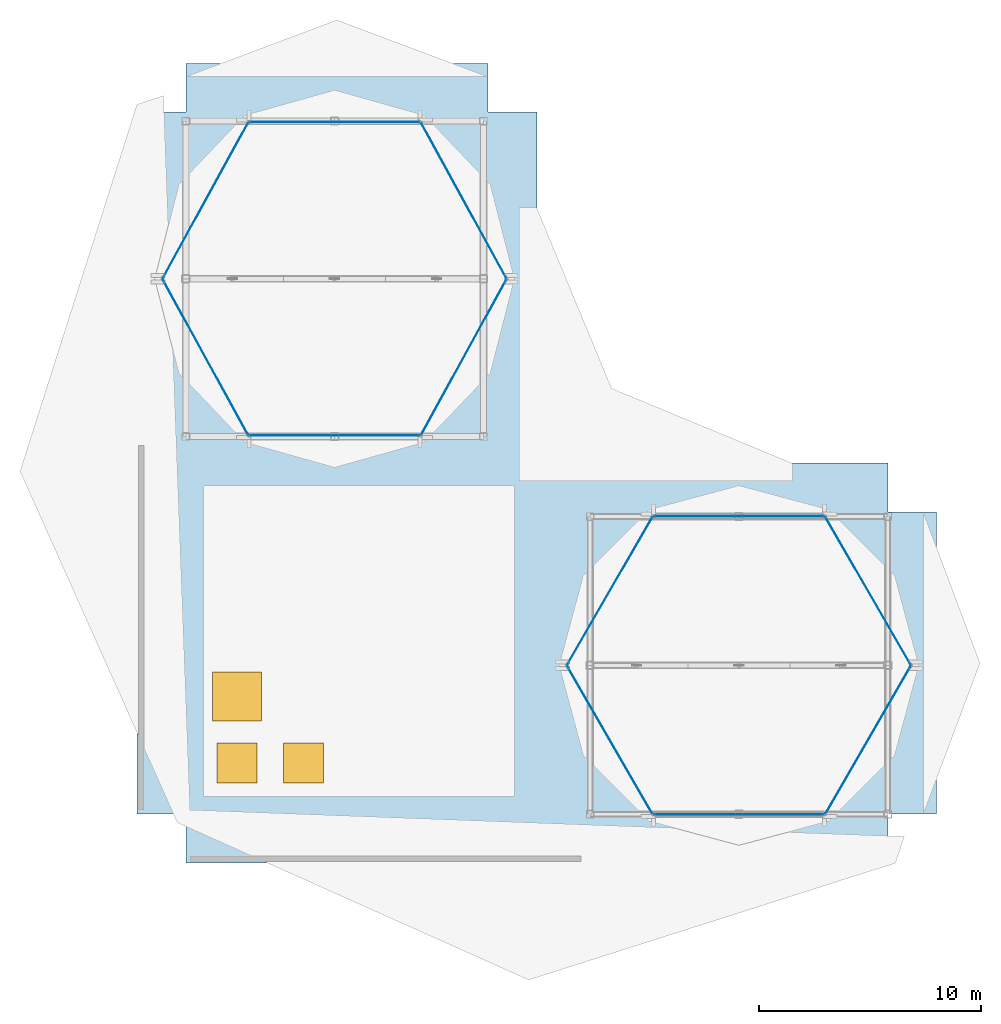
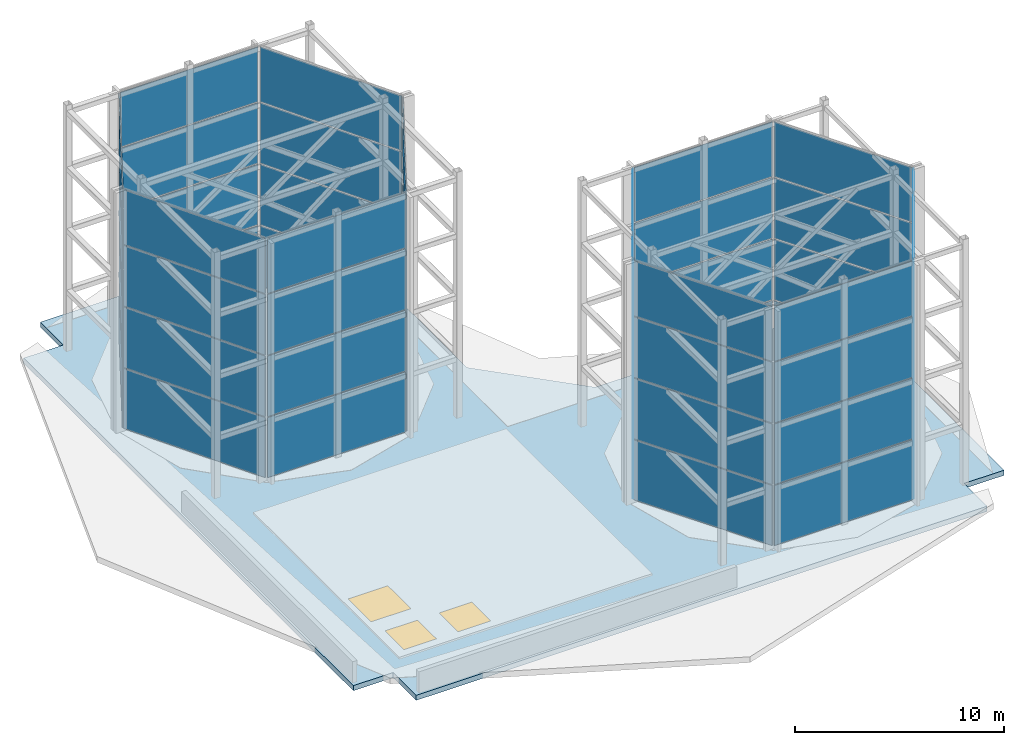
"""IFC4 building model written with IfcOpenShell, lengths in metres."""

from ifc_helpers import new_model, si_unit, direction, frame, origin, origin_2d, place, context, subcontext, project, spatial, polyline, rectangle, outline, extrude, material, layer, layer_set, type_object, element, fill, aggregate, save


model = new_model("IFC4")

# Units and contexts
model_context = context("Model", 3, precision=1e-05, world=origin(), true_north=direction((0.0, 1.0)))
body_context = subcontext(model_context, "Body", "Model", "MODEL_VIEW")
ifc_project = project(units=[si_unit("LENGTHUNIT", "METRE"), si_unit("AREAUNIT", "SQUARE_METRE"), si_unit("VOLUMEUNIT", "CUBIC_METRE"), si_unit("PLANEANGLEUNIT", "RADIAN"), si_unit("MASSUNIT", "GRAM", prefix="KILO")], contexts=[model_context])

# Site, building, storey
site_placement = place(None, origin())
site = spatial("IfcSite", under=ifc_project, at=site_placement, CompositionType="ELEMENT")
building_placement = place(site_placement, origin())
building = spatial("IfcBuilding", under=site, at=building_placement, Name="Solvaryn Broadcast Tower", CompositionType="ELEMENT")
storey_1_placement = place(building_placement, frame((0.0, 0.0, 307.800048828125)))
storey_1 = spatial("IfcBuildingStorey", under=building, at=storey_1_placement, Name="Roof Main", CompositionType="ELEMENT", Elevation=307.800048828125)

# Curtain wall, plates
ifc_material_1 = material(Name="Aluminium and Terracotta Unitised Curtain Wall", Category="masonry")
ifc_layer_1 = layer(ifc_material_1, 0.2099609375)
ifc_layer_set_1 = layer_set([ifc_layer_1], Name="CW-SYS6-CROWN")
curtain_wall_type = type_object("IfcCurtainWallType", Name="CW-SYS6-CROWN", PredefinedType="NOTDEFINED", material=ifc_layer_set_1)
curtain_wall_1_placement = place(storey_1_placement, origin())
curtain_wall_1 = element("IfcCurtainWall", 1, at=curtain_wall_1_placement, inside=storey_1, type_object=curtain_wall_type, Name="Roof Main Split-Top Crown Curtain Wall W1", PredefinedType="NOTDEFINED")
ifc_material_2 = material(Name="Acoustic Laminated Luminous Clear Glass", Category="glass")
ifc_layer_2 = layer(ifc_material_2, 0.0419921875)
ifc_layer_set_2 = layer_set([ifc_layer_2], Name="CW-PNL-DAMPER")
plate_type = type_object("IfcPlateType", Name="CW-PNL-DAMPER", PredefinedType="CURTAIN_PANEL", material=ifc_layer_set_2)
plate_1_placement = place(storey_1_placement, frame((23.71240234375, 38.8291015625, 0.06005859375), z_axis=(0.0, 0.0, 1.0), x_axis=(-0.481260683391, 0.876577523452, 0.0)))
plate_1 = element("IfcPlate", 2, at=plate_1_placement, type_object=plate_type, Name="CWS6 panel 1.1", PredefinedType="CURTAIN_PANEL", context=body_context, shape_type="SweptSolid", body=[
    extrude(rectangle(XDim=7.931884765625, YDim=0.028076171875, at=origin_2d()), origin(), (0.0, 0.0, 1.0), 3.510009765625),
])
plate_2_placement = place(storey_1_placement, frame((23.71240234375, 38.8291015625, 3.6298828125), z_axis=(0.0, 0.0, 1.0), x_axis=(-0.481260683391, 0.876577523452, 0.0)))
plate_2 = element("IfcPlate", 3, at=plate_2_placement, type_object=plate_type, Name="CWS6 panel 1.2", PredefinedType="CURTAIN_PANEL", context=body_context, shape_type="SweptSolid", body=[
    extrude(rectangle(XDim=7.931884765625, YDim=0.028076171875, at=origin_2d()), origin(), (0.0, 0.0, 1.0), 3.5400390625),
])
plate_3_placement = place(storey_1_placement, frame((23.71240234375, 38.8291015625, 7.22998046875), z_axis=(0.0, 0.0, 1.0), x_axis=(-0.481260683391, 0.876577523452, 0.0)))
plate_3 = element("IfcPlate", 4, at=plate_3_placement, type_object=plate_type, Name="CWS6 panel 1.3", PredefinedType="CURTAIN_PANEL", context=body_context, shape_type="SweptSolid", body=[
    extrude(rectangle(XDim=7.931884765625, YDim=0.028076171875, at=origin_2d()), origin(), (0.0, 0.0, 1.0), 3.5400390625),
])
plate_4_placement = place(storey_1_placement, frame((23.71240234375, 38.8291015625, 10.830078125), z_axis=(0.0, 0.0, 1.0), x_axis=(-0.481260683391, 0.876577523452, 0.0)))
plate_4 = element("IfcPlate", 5, at=plate_4_placement, type_object=plate_type, Name="CWS6 panel 1.4", PredefinedType="CURTAIN_PANEL", context=body_context, shape_type="SweptSolid", body=[
    extrude(rectangle(XDim=7.931884765625, YDim=0.028076171875, at=origin_2d()), origin(), (0.0, 0.0, 1.0), 3.2099609375),
])
aggregate(curtain_wall_1, [plate_1, plate_2, plate_3, plate_4])

curtain_wall_2_placement = place(storey_1_placement, origin())
curtain_wall_2 = element("IfcCurtainWall", 6, at=curtain_wall_2_placement, inside=storey_1, type_object=curtain_wall_type, Name="Roof Main Split-Top Crown Curtain Wall W2", PredefinedType="NOTDEFINED")
plate_5_placement = place(storey_1_placement, frame((17.89990234375, 42.35791015625, 0.06005859375), z_axis=(0.0, 0.0, 1.0), x_axis=(-1.0, 0.0, 0.0)))
plate_5 = element("IfcPlate", 7, at=plate_5_placement, type_object=plate_type, Name="CWS6 panel 1.1", PredefinedType="CURTAIN_PANEL", context=body_context, shape_type="SweptSolid", body=[
    extrude(rectangle(XDim=7.6298828125, YDim=0.028076171875, at=origin_2d()), origin(), (0.0, 0.0, 1.0), 3.510009765625),
])
plate_6_placement = place(storey_1_placement, frame((17.89990234375, 42.35791015625, 3.6298828125), z_axis=(0.0, 0.0, 1.0), x_axis=(-1.0, 0.0, 0.0)))
plate_6 = element("IfcPlate", 8, at=plate_6_placement, type_object=plate_type, Name="CWS6 panel 1.2", PredefinedType="CURTAIN_PANEL", context=body_context, shape_type="SweptSolid", body=[
    extrude(rectangle(XDim=7.6298828125, YDim=0.028076171875, at=origin_2d()), origin(), (0.0, 0.0, 1.0), 3.5400390625),
])
plate_7_placement = place(storey_1_placement, frame((17.89990234375, 42.35791015625, 7.22998046875), z_axis=(0.0, 0.0, 1.0), x_axis=(-1.0, 0.0, 0.0)))
plate_7 = element("IfcPlate", 9, at=plate_7_placement, type_object=plate_type, Name="CWS6 panel 1.3", PredefinedType="CURTAIN_PANEL", context=body_context, shape_type="SweptSolid", body=[
    extrude(rectangle(XDim=7.6298828125, YDim=0.028076171875, at=origin_2d()), origin(), (0.0, 0.0, 1.0), 3.5400390625),
])
plate_8_placement = place(storey_1_placement, frame((17.89990234375, 42.35791015625, 10.830078125), z_axis=(0.0, 0.0, 1.0), x_axis=(-1.0, 0.0, 0.0)))
plate_8 = element("IfcPlate", 10, at=plate_8_placement, type_object=plate_type, Name="CWS6 panel 1.4", PredefinedType="CURTAIN_PANEL", context=body_context, shape_type="SweptSolid", body=[
    extrude(rectangle(XDim=7.6298828125, YDim=0.028076171875, at=origin_2d()), origin(), (0.0, 0.0, 1.0), 3.2099609375),
])
aggregate(curtain_wall_2, [plate_5, plate_6, plate_7, plate_8])

curtain_wall_3_placement = place(storey_1_placement, origin())
curtain_wall_3 = element("IfcCurtainWall", 11, at=curtain_wall_3_placement, inside=storey_1, type_object=curtain_wall_type, Name="Roof Main Split-Top Crown Curtain Wall W3", PredefinedType="NOTDEFINED")
plate_9_placement = place(storey_1_placement, frame((12.08740234375, 38.8291015625, 0.06005859375), z_axis=(0.0, 0.0, 1.0), x_axis=(-0.481260683391, -0.876577523452, 0.0)))
plate_9 = element("IfcPlate", 12, at=plate_9_placement, type_object=plate_type, Name="CWS6 panel 1.1", PredefinedType="CURTAIN_PANEL", context=body_context, shape_type="SweptSolid", body=[
    extrude(rectangle(XDim=7.931884765625, YDim=0.028076171875, at=origin_2d()), origin(), (0.0, 0.0, 1.0), 3.510009765625),
])
plate_10_placement = place(storey_1_placement, frame((12.08740234375, 38.8291015625, 3.6298828125), z_axis=(0.0, 0.0, 1.0), x_axis=(-0.481260683391, -0.876577523452, 0.0)))
plate_10 = element("IfcPlate", 13, at=plate_10_placement, type_object=plate_type, Name="CWS6 panel 1.2", PredefinedType="CURTAIN_PANEL", context=body_context, shape_type="SweptSolid", body=[
    extrude(rectangle(XDim=7.931884765625, YDim=0.028076171875, at=origin_2d()), origin(), (0.0, 0.0, 1.0), 3.5400390625),
])
plate_11_placement = place(storey_1_placement, frame((12.08740234375, 38.8291015625, 7.22998046875), z_axis=(0.0, 0.0, 1.0), x_axis=(-0.481260683391, -0.876577523452, 0.0)))
plate_11 = element("IfcPlate", 14, at=plate_11_placement, type_object=plate_type, Name="CWS6 panel 1.3", PredefinedType="CURTAIN_PANEL", context=body_context, shape_type="SweptSolid", body=[
    extrude(rectangle(XDim=7.931884765625, YDim=0.028076171875, at=origin_2d()), origin(), (0.0, 0.0, 1.0), 3.5400390625),
])
plate_12_placement = place(storey_1_placement, frame((12.08740234375, 38.8291015625, 10.830078125), z_axis=(0.0, 0.0, 1.0), x_axis=(-0.481260683391, -0.876577523452, 0.0)))
plate_12 = element("IfcPlate", 15, at=plate_12_placement, type_object=plate_type, Name="CWS6 panel 1.4", PredefinedType="CURTAIN_PANEL", context=body_context, shape_type="SweptSolid", body=[
    extrude(rectangle(XDim=7.931884765625, YDim=0.028076171875, at=origin_2d()), origin(), (0.0, 0.0, 1.0), 3.2099609375),
])
aggregate(curtain_wall_3, [plate_9, plate_10, plate_11, plate_12])

curtain_wall_4_placement = place(storey_1_placement, origin())
curtain_wall_4 = element("IfcCurtainWall", 16, at=curtain_wall_4_placement, inside=storey_1, type_object=curtain_wall_type, Name="Roof Main Split-Top Crown Curtain Wall W4", PredefinedType="NOTDEFINED")
plate_13_placement = place(storey_1_placement, frame((12.08740234375, 31.77099609375, 0.06005859375), z_axis=(0.0, 0.0, 1.0), x_axis=(0.481260683391, -0.876577523452, 0.0)))
plate_13 = element("IfcPlate", 17, at=plate_13_placement, type_object=plate_type, Name="CWS6 panel 1.1", PredefinedType="CURTAIN_PANEL", context=body_context, shape_type="SweptSolid", body=[
    extrude(rectangle(XDim=7.931884765625, YDim=0.028076171875, at=origin_2d()), origin(), (0.0, 0.0, 1.0), 3.510009765625),
])
plate_14_placement = place(storey_1_placement, frame((12.08740234375, 31.77099609375, 3.6298828125), z_axis=(0.0, 0.0, 1.0), x_axis=(0.481260683391, -0.876577523452, 0.0)))
plate_14 = element("IfcPlate", 18, at=plate_14_placement, type_object=plate_type, Name="CWS6 panel 1.2", PredefinedType="CURTAIN_PANEL", context=body_context, shape_type="SweptSolid", body=[
    extrude(rectangle(XDim=7.931884765625, YDim=0.028076171875, at=origin_2d()), origin(), (0.0, 0.0, 1.0), 3.5400390625),
])
plate_15_placement = place(storey_1_placement, frame((12.08740234375, 31.77099609375, 7.22998046875), z_axis=(0.0, 0.0, 1.0), x_axis=(0.481260683391, -0.876577523452, 0.0)))
plate_15 = element("IfcPlate", 19, at=plate_15_placement, type_object=plate_type, Name="CWS6 panel 1.3", PredefinedType="CURTAIN_PANEL", context=body_context, shape_type="SweptSolid", body=[
    extrude(rectangle(XDim=7.931884765625, YDim=0.028076171875, at=origin_2d()), origin(), (0.0, 0.0, 1.0), 3.5400390625),
])
plate_16_placement = place(storey_1_placement, frame((12.08740234375, 31.77099609375, 10.830078125), z_axis=(0.0, 0.0, 1.0), x_axis=(0.481260683391, -0.876577523452, 0.0)))
plate_16 = element("IfcPlate", 20, at=plate_16_placement, type_object=plate_type, Name="CWS6 panel 1.4", PredefinedType="CURTAIN_PANEL", context=body_context, shape_type="SweptSolid", body=[
    extrude(rectangle(XDim=7.931884765625, YDim=0.028076171875, at=origin_2d()), origin(), (0.0, 0.0, 1.0), 3.2099609375),
])
aggregate(curtain_wall_4, [plate_13, plate_14, plate_15, plate_16])

curtain_wall_5_placement = place(storey_1_placement, origin())
curtain_wall_5 = element("IfcCurtainWall", 21, at=curtain_wall_5_placement, inside=storey_1, type_object=curtain_wall_type, Name="Roof Main Split-Top Crown Curtain Wall W5", PredefinedType="NOTDEFINED")
plate_17_placement = place(storey_1_placement, frame((17.89990234375, 28.241943359375, 0.06005859375), z_axis=(0.0, 0.0, 1.0), x_axis=(1.0, 0.0, 0.0)))
plate_17 = element("IfcPlate", 22, at=plate_17_placement, type_object=plate_type, Name="CWS6 panel 1.1", PredefinedType="CURTAIN_PANEL", context=body_context, shape_type="SweptSolid", body=[
    extrude(rectangle(XDim=7.6298828125, YDim=0.028076171875, at=origin_2d()), origin(), (0.0, 0.0, 1.0), 3.510009765625),
])
plate_18_placement = place(storey_1_placement, frame((17.89990234375, 28.241943359375, 3.6298828125), z_axis=(0.0, 0.0, 1.0), x_axis=(1.0, 0.0, 0.0)))
plate_18 = element("IfcPlate", 23, at=plate_18_placement, type_object=plate_type, Name="CWS6 panel 1.2", PredefinedType="CURTAIN_PANEL", context=body_context, shape_type="SweptSolid", body=[
    extrude(rectangle(XDim=7.6298828125, YDim=0.028076171875, at=origin_2d()), origin(), (0.0, 0.0, 1.0), 3.5400390625),
])
plate_19_placement = place(storey_1_placement, frame((17.89990234375, 28.241943359375, 7.22998046875), z_axis=(0.0, 0.0, 1.0), x_axis=(1.0, 0.0, 0.0)))
plate_19 = element("IfcPlate", 24, at=plate_19_placement, type_object=plate_type, Name="CWS6 panel 1.3", PredefinedType="CURTAIN_PANEL", context=body_context, shape_type="SweptSolid", body=[
    extrude(rectangle(XDim=7.6298828125, YDim=0.028076171875, at=origin_2d()), origin(), (0.0, 0.0, 1.0), 3.5400390625),
])
plate_20_placement = place(storey_1_placement, frame((17.89990234375, 28.241943359375, 10.830078125), z_axis=(0.0, 0.0, 1.0), x_axis=(1.0, 0.0, 0.0)))
plate_20 = element("IfcPlate", 25, at=plate_20_placement, type_object=plate_type, Name="CWS6 panel 1.4", PredefinedType="CURTAIN_PANEL", context=body_context, shape_type="SweptSolid", body=[
    extrude(rectangle(XDim=7.6298828125, YDim=0.028076171875, at=origin_2d()), origin(), (0.0, 0.0, 1.0), 3.2099609375),
])
aggregate(curtain_wall_5, [plate_17, plate_18, plate_19, plate_20])

curtain_wall_6_placement = place(storey_1_placement, origin())
curtain_wall_6 = element("IfcCurtainWall", 26, at=curtain_wall_6_placement, inside=storey_1, type_object=curtain_wall_type, Name="Roof Main Split-Top Crown Curtain Wall W6", PredefinedType="NOTDEFINED")
plate_21_placement = place(storey_1_placement, frame((23.71240234375, 31.77099609375, 0.06005859375), z_axis=(0.0, 0.0, 1.0), x_axis=(0.481260683391, 0.876577523452, 0.0)))
plate_21 = element("IfcPlate", 27, at=plate_21_placement, type_object=plate_type, Name="CWS6 panel 1.1", PredefinedType="CURTAIN_PANEL", context=body_context, shape_type="SweptSolid", body=[
    extrude(rectangle(XDim=7.931884765625, YDim=0.028076171875, at=origin_2d()), origin(), (0.0, 0.0, 1.0), 3.510009765625),
])
plate_22_placement = place(storey_1_placement, frame((23.71240234375, 31.77099609375, 3.6298828125), z_axis=(0.0, 0.0, 1.0), x_axis=(0.481260683391, 0.876577523452, 0.0)))
plate_22 = element("IfcPlate", 28, at=plate_22_placement, type_object=plate_type, Name="CWS6 panel 1.2", PredefinedType="CURTAIN_PANEL", context=body_context, shape_type="SweptSolid", body=[
    extrude(rectangle(XDim=7.931884765625, YDim=0.028076171875, at=origin_2d()), origin(), (0.0, 0.0, 1.0), 3.5400390625),
])
plate_23_placement = place(storey_1_placement, frame((23.71240234375, 31.77099609375, 7.22998046875), z_axis=(0.0, 0.0, 1.0), x_axis=(0.481260683391, 0.876577523452, 0.0)))
plate_23 = element("IfcPlate", 29, at=plate_23_placement, type_object=plate_type, Name="CWS6 panel 1.3", PredefinedType="CURTAIN_PANEL", context=body_context, shape_type="SweptSolid", body=[
    extrude(rectangle(XDim=7.931884765625, YDim=0.028076171875, at=origin_2d()), origin(), (0.0, 0.0, 1.0), 3.5400390625),
])
plate_24_placement = place(storey_1_placement, frame((23.71240234375, 31.77099609375, 10.830078125), z_axis=(0.0, 0.0, 1.0), x_axis=(0.481260683391, 0.876577523452, 0.0)))
plate_24 = element("IfcPlate", 30, at=plate_24_placement, type_object=plate_type, Name="CWS6 panel 1.4", PredefinedType="CURTAIN_PANEL", context=body_context, shape_type="SweptSolid", body=[
    extrude(rectangle(XDim=7.931884765625, YDim=0.028076171875, at=origin_2d()), origin(), (0.0, 0.0, 1.0), 3.2099609375),
])
aggregate(curtain_wall_6, [plate_21, plate_22, plate_23, plate_24])

curtain_wall_7_placement = place(storey_1_placement, origin())
curtain_wall_7 = element("IfcCurtainWall", 31, at=curtain_wall_7_placement, inside=storey_1, type_object=curtain_wall_type, Name="Roof Main Split-Top Crown Curtain Wall E1", PredefinedType="NOTDEFINED")
plate_25_placement = place(storey_1_placement, frame((41.91259765625, 21.256103515625, 0.06005859375), z_axis=(0.0, 0.0, 1.0), x_axis=(-0.499983064339, 0.866035181372, 0.0)))
plate_25 = element("IfcPlate", 32, at=plate_25_placement, type_object=plate_type, Name="CWS6 panel 1.1", PredefinedType="CURTAIN_PANEL", context=body_context, shape_type="SweptSolid", body=[
    extrude(rectangle(XDim=7.63037109375, YDim=0.028076171875, at=origin_2d()), origin(), (0.0, 0.0, 1.0), 3.510009765625),
])
plate_26_placement = place(storey_1_placement, frame((41.91259765625, 21.256103515625, 3.6298828125), z_axis=(0.0, 0.0, 1.0), x_axis=(-0.499983064339, 0.866035181372, 0.0)))
plate_26 = element("IfcPlate", 33, at=plate_26_placement, type_object=plate_type, Name="CWS6 panel 1.2", PredefinedType="CURTAIN_PANEL", context=body_context, shape_type="SweptSolid", body=[
    extrude(rectangle(XDim=7.63037109375, YDim=0.028076171875, at=origin_2d()), origin(), (0.0, 0.0, 1.0), 3.5400390625),
])
plate_27_placement = place(storey_1_placement, frame((41.91259765625, 21.256103515625, 7.22998046875), z_axis=(0.0, 0.0, 1.0), x_axis=(-0.499983064339, 0.866035181372, 0.0)))
plate_27 = element("IfcPlate", 34, at=plate_27_placement, type_object=plate_type, Name="CWS6 panel 1.3", PredefinedType="CURTAIN_PANEL", context=body_context, shape_type="SweptSolid", body=[
    extrude(rectangle(XDim=7.63037109375, YDim=0.028076171875, at=origin_2d()), origin(), (0.0, 0.0, 1.0), 3.5400390625),
])
plate_28_placement = place(storey_1_placement, frame((41.91259765625, 21.256103515625, 10.830078125), z_axis=(0.0, 0.0, 1.0), x_axis=(-0.499983064339, 0.866035181372, 0.0)))
plate_28 = element("IfcPlate", 35, at=plate_28_placement, type_object=plate_type, Name="CWS6 panel 1.4", PredefinedType="CURTAIN_PANEL", context=body_context, shape_type="SweptSolid", body=[
    extrude(rectangle(XDim=7.63037109375, YDim=0.028076171875, at=origin_2d()), origin(), (0.0, 0.0, 1.0), 3.2099609375),
])
aggregate(curtain_wall_7, [plate_25, plate_26, plate_27, plate_28])

curtain_wall_8_placement = place(storey_1_placement, origin())
curtain_wall_8 = element("IfcCurtainWall", 36, at=curtain_wall_8_placement, inside=storey_1, type_object=curtain_wall_type, Name="Roof Main Split-Top Crown Curtain Wall E2", PredefinedType="NOTDEFINED")
plate_29_placement = place(storey_1_placement, frame((36.10009765625, 24.612060546875, 0.06005859375), z_axis=(0.0, 0.0, 1.0), x_axis=(-1.0, 0.0, 0.0)))
plate_29 = element("IfcPlate", 37, at=plate_29_placement, type_object=plate_type, Name="CWS6 panel 1.1", PredefinedType="CURTAIN_PANEL", context=body_context, shape_type="SweptSolid", body=[
    extrude(rectangle(XDim=7.6298828125, YDim=0.028076171875, at=origin_2d()), origin(), (0.0, 0.0, 1.0), 3.510009765625),
])
plate_30_placement = place(storey_1_placement, frame((36.10009765625, 24.612060546875, 3.6298828125), z_axis=(0.0, 0.0, 1.0), x_axis=(-1.0, 0.0, 0.0)))
plate_30 = element("IfcPlate", 38, at=plate_30_placement, type_object=plate_type, Name="CWS6 panel 1.2", PredefinedType="CURTAIN_PANEL", context=body_context, shape_type="SweptSolid", body=[
    extrude(rectangle(XDim=7.6298828125, YDim=0.028076171875, at=origin_2d()), origin(), (0.0, 0.0, 1.0), 3.5400390625),
])
plate_31_placement = place(storey_1_placement, frame((36.10009765625, 24.612060546875, 7.22998046875), z_axis=(0.0, 0.0, 1.0), x_axis=(-1.0, 0.0, 0.0)))
plate_31 = element("IfcPlate", 39, at=plate_31_placement, type_object=plate_type, Name="CWS6 panel 1.3", PredefinedType="CURTAIN_PANEL", context=body_context, shape_type="SweptSolid", body=[
    extrude(rectangle(XDim=7.6298828125, YDim=0.028076171875, at=origin_2d()), origin(), (0.0, 0.0, 1.0), 3.5400390625),
])
plate_32_placement = place(storey_1_placement, frame((36.10009765625, 24.612060546875, 10.830078125), z_axis=(0.0, 0.0, 1.0), x_axis=(-1.0, 0.0, 0.0)))
plate_32 = element("IfcPlate", 40, at=plate_32_placement, type_object=plate_type, Name="CWS6 panel 1.4", PredefinedType="CURTAIN_PANEL", context=body_context, shape_type="SweptSolid", body=[
    extrude(rectangle(XDim=7.6298828125, YDim=0.028076171875, at=origin_2d()), origin(), (0.0, 0.0, 1.0), 3.2099609375),
])
aggregate(curtain_wall_8, [plate_29, plate_30, plate_31, plate_32])

curtain_wall_9_placement = place(storey_1_placement, origin())
curtain_wall_9 = element("IfcCurtainWall", 41, at=curtain_wall_9_placement, inside=storey_1, type_object=curtain_wall_type, Name="Roof Main Split-Top Crown Curtain Wall E3", PredefinedType="NOTDEFINED")
plate_33_placement = place(storey_1_placement, frame((30.28759765625, 21.256103515625, 0.06005859375), z_axis=(0.0, 0.0, 1.0), x_axis=(-0.499983064339, -0.866035181372, 0.0)))
plate_33 = element("IfcPlate", 42, at=plate_33_placement, type_object=plate_type, Name="CWS6 panel 1.1", PredefinedType="CURTAIN_PANEL", context=body_context, shape_type="SweptSolid", body=[
    extrude(rectangle(XDim=7.63037109375, YDim=0.028076171875, at=origin_2d()), origin(), (0.0, 0.0, 1.0), 3.510009765625),
])
plate_34_placement = place(storey_1_placement, frame((30.28759765625, 21.256103515625, 3.6298828125), z_axis=(0.0, 0.0, 1.0), x_axis=(-0.499983064339, -0.866035181372, 0.0)))
plate_34 = element("IfcPlate", 43, at=plate_34_placement, type_object=plate_type, Name="CWS6 panel 1.2", PredefinedType="CURTAIN_PANEL", context=body_context, shape_type="SweptSolid", body=[
    extrude(rectangle(XDim=7.63037109375, YDim=0.028076171875, at=origin_2d()), origin(), (0.0, 0.0, 1.0), 3.5400390625),
])
plate_35_placement = place(storey_1_placement, frame((30.28759765625, 21.256103515625, 7.22998046875), z_axis=(0.0, 0.0, 1.0), x_axis=(-0.499983064339, -0.866035181372, 0.0)))
plate_35 = element("IfcPlate", 44, at=plate_35_placement, type_object=plate_type, Name="CWS6 panel 1.3", PredefinedType="CURTAIN_PANEL", context=body_context, shape_type="SweptSolid", body=[
    extrude(rectangle(XDim=7.63037109375, YDim=0.028076171875, at=origin_2d()), origin(), (0.0, 0.0, 1.0), 3.5400390625),
])
plate_36_placement = place(storey_1_placement, frame((30.28759765625, 21.256103515625, 10.830078125), z_axis=(0.0, 0.0, 1.0), x_axis=(-0.499983064339, -0.866035181372, 0.0)))
plate_36 = element("IfcPlate", 45, at=plate_36_placement, type_object=plate_type, Name="CWS6 panel 1.4", PredefinedType="CURTAIN_PANEL", context=body_context, shape_type="SweptSolid", body=[
    extrude(rectangle(XDim=7.63037109375, YDim=0.028076171875, at=origin_2d()), origin(), (0.0, 0.0, 1.0), 3.2099609375),
])
aggregate(curtain_wall_9, [plate_33, plate_34, plate_35, plate_36])

curtain_wall_10_placement = place(storey_1_placement, origin())
curtain_wall_10 = element("IfcCurtainWall", 46, at=curtain_wall_10_placement, inside=storey_1, type_object=curtain_wall_type, Name="Roof Main Split-Top Crown Curtain Wall E4", PredefinedType="NOTDEFINED")
plate_37_placement = place(storey_1_placement, frame((30.28759765625, 14.5439453125, 0.06005859375), z_axis=(0.0, 0.0, 1.0), x_axis=(0.499983064339, -0.866035181372, 0.0)))
plate_37 = element("IfcPlate", 47, at=plate_37_placement, type_object=plate_type, Name="CWS6 panel 1.1", PredefinedType="CURTAIN_PANEL", context=body_context, shape_type="SweptSolid", body=[
    extrude(rectangle(XDim=7.63037109375, YDim=0.028076171875, at=origin_2d()), origin(), (0.0, 0.0, 1.0), 3.510009765625),
])
plate_38_placement = place(storey_1_placement, frame((30.28759765625, 14.5439453125, 3.6298828125), z_axis=(0.0, 0.0, 1.0), x_axis=(0.499983064339, -0.866035181372, 0.0)))
plate_38 = element("IfcPlate", 48, at=plate_38_placement, type_object=plate_type, Name="CWS6 panel 1.2", PredefinedType="CURTAIN_PANEL", context=body_context, shape_type="SweptSolid", body=[
    extrude(rectangle(XDim=7.63037109375, YDim=0.028076171875, at=origin_2d()), origin(), (0.0, 0.0, 1.0), 3.5400390625),
])
plate_39_placement = place(storey_1_placement, frame((30.28759765625, 14.5439453125, 7.22998046875), z_axis=(0.0, 0.0, 1.0), x_axis=(0.499983064339, -0.866035181372, 0.0)))
plate_39 = element("IfcPlate", 49, at=plate_39_placement, type_object=plate_type, Name="CWS6 panel 1.3", PredefinedType="CURTAIN_PANEL", context=body_context, shape_type="SweptSolid", body=[
    extrude(rectangle(XDim=7.63037109375, YDim=0.028076171875, at=origin_2d()), origin(), (0.0, 0.0, 1.0), 3.5400390625),
])
plate_40_placement = place(storey_1_placement, frame((30.28759765625, 14.5439453125, 10.830078125), z_axis=(0.0, 0.0, 1.0), x_axis=(0.499983064339, -0.866035181372, 0.0)))
plate_40 = element("IfcPlate", 50, at=plate_40_placement, type_object=plate_type, Name="CWS6 panel 1.4", PredefinedType="CURTAIN_PANEL", context=body_context, shape_type="SweptSolid", body=[
    extrude(rectangle(XDim=7.63037109375, YDim=0.028076171875, at=origin_2d()), origin(), (0.0, 0.0, 1.0), 3.2099609375),
])
aggregate(curtain_wall_10, [plate_37, plate_38, plate_39, plate_40])

curtain_wall_11_placement = place(storey_1_placement, origin())
curtain_wall_11 = element("IfcCurtainWall", 51, at=curtain_wall_11_placement, inside=storey_1, type_object=curtain_wall_type, Name="Roof Main Split-Top Crown Curtain Wall E5", PredefinedType="NOTDEFINED")
plate_41_placement = place(storey_1_placement, frame((36.10009765625, 11.18798828125, 0.06005859375), z_axis=(0.0, 0.0, 1.0), x_axis=(1.0, 0.0, 0.0)))
plate_41 = element("IfcPlate", 52, at=plate_41_placement, type_object=plate_type, Name="CWS6 panel 1.1", PredefinedType="CURTAIN_PANEL", context=body_context, shape_type="SweptSolid", body=[
    extrude(rectangle(XDim=7.6298828125, YDim=0.028076171875, at=origin_2d()), origin(), (0.0, 0.0, 1.0), 3.510009765625),
])
plate_42_placement = place(storey_1_placement, frame((36.10009765625, 11.18798828125, 3.6298828125), z_axis=(0.0, 0.0, 1.0), x_axis=(1.0, 0.0, 0.0)))
plate_42 = element("IfcPlate", 53, at=plate_42_placement, type_object=plate_type, Name="CWS6 panel 1.2", PredefinedType="CURTAIN_PANEL", context=body_context, shape_type="SweptSolid", body=[
    extrude(rectangle(XDim=7.6298828125, YDim=0.028076171875, at=origin_2d()), origin(), (0.0, 0.0, 1.0), 3.5400390625),
])
plate_43_placement = place(storey_1_placement, frame((36.10009765625, 11.18798828125, 7.22998046875), z_axis=(0.0, 0.0, 1.0), x_axis=(1.0, 0.0, 0.0)))
plate_43 = element("IfcPlate", 54, at=plate_43_placement, type_object=plate_type, Name="CWS6 panel 1.3", PredefinedType="CURTAIN_PANEL", context=body_context, shape_type="SweptSolid", body=[
    extrude(rectangle(XDim=7.6298828125, YDim=0.028076171875, at=origin_2d()), origin(), (0.0, 0.0, 1.0), 3.5400390625),
])
plate_44_placement = place(storey_1_placement, frame((36.10009765625, 11.18798828125, 10.830078125), z_axis=(0.0, 0.0, 1.0), x_axis=(1.0, 0.0, 0.0)))
plate_44 = element("IfcPlate", 55, at=plate_44_placement, type_object=plate_type, Name="CWS6 panel 1.4", PredefinedType="CURTAIN_PANEL", context=body_context, shape_type="SweptSolid", body=[
    extrude(rectangle(XDim=7.6298828125, YDim=0.028076171875, at=origin_2d()), origin(), (0.0, 0.0, 1.0), 3.2099609375),
])
aggregate(curtain_wall_11, [plate_41, plate_42, plate_43, plate_44])

curtain_wall_12_placement = place(storey_1_placement, origin())
curtain_wall_12 = element("IfcCurtainWall", 56, at=curtain_wall_12_placement, inside=storey_1, type_object=curtain_wall_type, Name="Roof Main Split-Top Crown Curtain Wall E6", PredefinedType="NOTDEFINED")
plate_45_placement = place(storey_1_placement, frame((41.91259765625, 14.5439453125, 0.06005859375), z_axis=(0.0, 0.0, 1.0), x_axis=(0.499983064339, 0.866035181372, 0.0)))
plate_45 = element("IfcPlate", 57, at=plate_45_placement, type_object=plate_type, Name="CWS6 panel 1.1", PredefinedType="CURTAIN_PANEL", context=body_context, shape_type="SweptSolid", body=[
    extrude(rectangle(XDim=7.63037109375, YDim=0.028076171875, at=origin_2d()), origin(), (0.0, 0.0, 1.0), 3.510009765625),
])
plate_46_placement = place(storey_1_placement, frame((41.91259765625, 14.5439453125, 3.6298828125), z_axis=(0.0, 0.0, 1.0), x_axis=(0.499983064339, 0.866035181372, 0.0)))
plate_46 = element("IfcPlate", 58, at=plate_46_placement, type_object=plate_type, Name="CWS6 panel 1.2", PredefinedType="CURTAIN_PANEL", context=body_context, shape_type="SweptSolid", body=[
    extrude(rectangle(XDim=7.63037109375, YDim=0.028076171875, at=origin_2d()), origin(), (0.0, 0.0, 1.0), 3.5400390625),
])
plate_47_placement = place(storey_1_placement, frame((41.91259765625, 14.5439453125, 7.22998046875), z_axis=(0.0, 0.0, 1.0), x_axis=(0.499983064339, 0.866035181372, 0.0)))
plate_47 = element("IfcPlate", 59, at=plate_47_placement, type_object=plate_type, Name="CWS6 panel 1.3", PredefinedType="CURTAIN_PANEL", context=body_context, shape_type="SweptSolid", body=[
    extrude(rectangle(XDim=7.63037109375, YDim=0.028076171875, at=origin_2d()), origin(), (0.0, 0.0, 1.0), 3.5400390625),
])
plate_48_placement = place(storey_1_placement, frame((41.91259765625, 14.5439453125, 10.830078125), z_axis=(0.0, 0.0, 1.0), x_axis=(0.499983064339, 0.866035181372, 0.0)))
plate_48 = element("IfcPlate", 60, at=plate_48_placement, type_object=plate_type, Name="CWS6 panel 1.4", PredefinedType="CURTAIN_PANEL", context=body_context, shape_type="SweptSolid", body=[
    extrude(rectangle(XDim=7.63037109375, YDim=0.028076171875, at=origin_2d()), origin(), (0.0, 0.0, 1.0), 3.2099609375),
])
aggregate(curtain_wall_12, [plate_45, plate_46, plate_47, plate_48])

# Slab, openings
ifc_material_3 = material(Name="Concrete f'c 60 MPa", Category="concrete")
ifc_layer_3 = layer(ifc_material_3, 0.300048828125)
ifc_layer_set_3 = layer_set([ifc_layer_3], Name="SL-ROOF-300")
slab_type = type_object("IfcSlabType", Name="SL-ROOF-300", PredefinedType="ROOF", material=ifc_layer_set_3)
slab_placement = place(storey_1_placement, frame((0.0, 0.0, -0.300048828125)))
slab = element("IfcSlab", 61, at=slab_placement, inside=storey_1, type_object=slab_type, Name="Main Tower Roof Deck", PredefinedType="ROOF", context=body_context, shape_type="SweptSolid", body=[
    extrude(outline(polyline([(11.199951171875, 9.0), (42.800048828125, 9.0), (42.800048828125, 11.199951171875), (45.0, 11.199951171875), (45.0, 24.800048828125), (42.800048828125, 24.800048828125), (42.800048828125, 27.0), (31.5, 27.0), (27.0, 31.5), (27.0, 42.800048828125), (24.800048828125, 42.800048828125), (24.800048828125, 45.0), (11.199951171875, 45.0), (11.199951171875, 42.800048828125), (9.0, 42.800048828125), (9.0, 11.199951171875), (11.199951171875, 11.199951171875), (11.199951171875, 9.0)])), origin(), (0.0, 0.0, 1.0), 0.300048828125),
])
opening_1_placement = place(slab_placement, frame((13.5, 13.5, 0.0)))
opening_1 = element("IfcOpeningElement", 62, at=opening_1_placement, cuts=slab, Name="Opening SK02", PredefinedType="OPENING", context=body_context, shape_type="SweptSolid", body=[
    extrude(rectangle(XDim=1.800048828125, YDim=1.800048828125, at=origin_2d()), origin(), (0.0, 0.0, 1.0), 0.300048828125),
])
opening_2_placement = place(slab_placement, frame((16.5, 13.5, 0.0)))
opening_2 = element("IfcOpeningElement", 63, at=opening_2_placement, cuts=slab, Name="Opening SK02", PredefinedType="OPENING", context=body_context, shape_type="SweptSolid", body=[
    extrude(rectangle(XDim=1.800048828125, YDim=1.800048828125, at=origin_2d()), origin(), (0.0, 0.0, 1.0), 0.300048828125),
])
opening_3_placement = place(slab_placement, frame((13.5, 16.5, 0.0)))
opening_3 = element("IfcOpeningElement", 64, at=opening_3_placement, cuts=slab, Name="Opening SK03", PredefinedType="OPENING", context=body_context, shape_type="SweptSolid", body=[
    extrude(rectangle(XDim=2.199951171875, YDim=2.199951171875, at=origin_2d()), origin(), (0.0, 0.0, 1.0), 0.300048828125),
])

# Storey
storey_2_placement = place(building_placement, frame((0.0, 0.0, 302.60009765625)))
storey_2 = spatial("IfcBuildingStorey", under=building, at=storey_2_placement, Name="L76", CompositionType="ELEMENT", Elevation=302.60009765625)

# Window
ifc_material_4 = material(Name="Thermally Broken Aluminium Acoustic Glazing", Category="aluminium")
window_type_1 = type_object("IfcWindowType", Name="SK-02-1800X1800", PartitioningType="SINGLE_PANEL", PredefinedType="SKYLIGHT", material=ifc_material_4)
window_1_placement = place(opening_1_placement, frame((0.0, 0.0, 0.25)))
window_1 = element("IfcWindow", 65, at=window_1_placement, inside=storey_2, type_object=window_type_1, Name="Damper Gallery Skylight 1", OverallHeight=1.800048828125, OverallWidth=1.800048828125, PartitioningType="SINGLE_PANEL", PredefinedType="SKYLIGHT", context=body_context, shape_type="SweptSolid", body=[
    extrude(rectangle(XDim=1.800048828125, YDim=1.800048828125, at=origin_2d()), origin(), (0.0, 0.0, 1.0), 0.050048828125),
])

fill(opening_1, window_1)

window_2_placement = place(opening_2_placement, frame((0.0, 0.0, 0.25)))
window_2 = element("IfcWindow", 66, at=window_2_placement, inside=storey_2, type_object=window_type_1, Name="Damper Gallery Skylight 2", OverallHeight=1.800048828125, OverallWidth=1.800048828125, PartitioningType="SINGLE_PANEL", PredefinedType="SKYLIGHT", context=body_context, shape_type="SweptSolid", body=[
    extrude(rectangle(XDim=1.800048828125, YDim=1.800048828125, at=origin_2d()), origin(), (0.0, 0.0, 1.0), 0.050048828125),
])

fill(opening_2, window_2)

ifc_material_5 = material(Name="Thermally Broken Aluminium Acoustic Glazing", Category="aluminium")
window_type_2 = type_object("IfcWindowType", Name="SK-03-2200X2200", PartitioningType="SINGLE_PANEL", PredefinedType="SKYLIGHT", material=ifc_material_5)
window_3_placement = place(opening_3_placement, frame((0.0, 0.0, 0.25)))
window_3 = element("IfcWindow", 67, at=window_3_placement, inside=storey_2, type_object=window_type_2, Name="Damper Gallery Skylight 3", OverallHeight=2.199951171875, OverallWidth=2.199951171875, PartitioningType="SINGLE_PANEL", PredefinedType="SKYLIGHT", context=body_context, shape_type="SweptSolid", body=[
    extrude(rectangle(XDim=2.199951171875, YDim=2.199951171875, at=origin_2d()), origin(), (0.0, 0.0, 1.0), 0.050048828125),
])

fill(opening_3, window_3)

save(model, "model.ifc")
